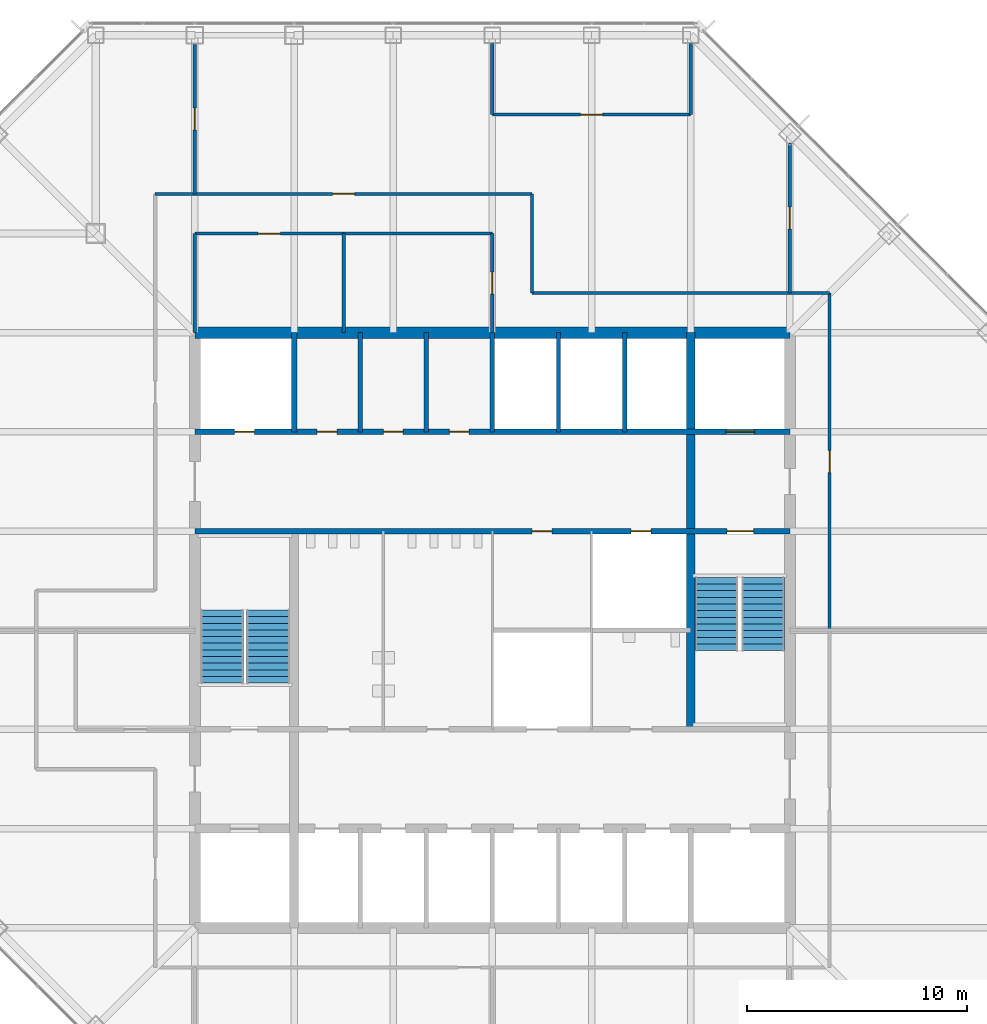
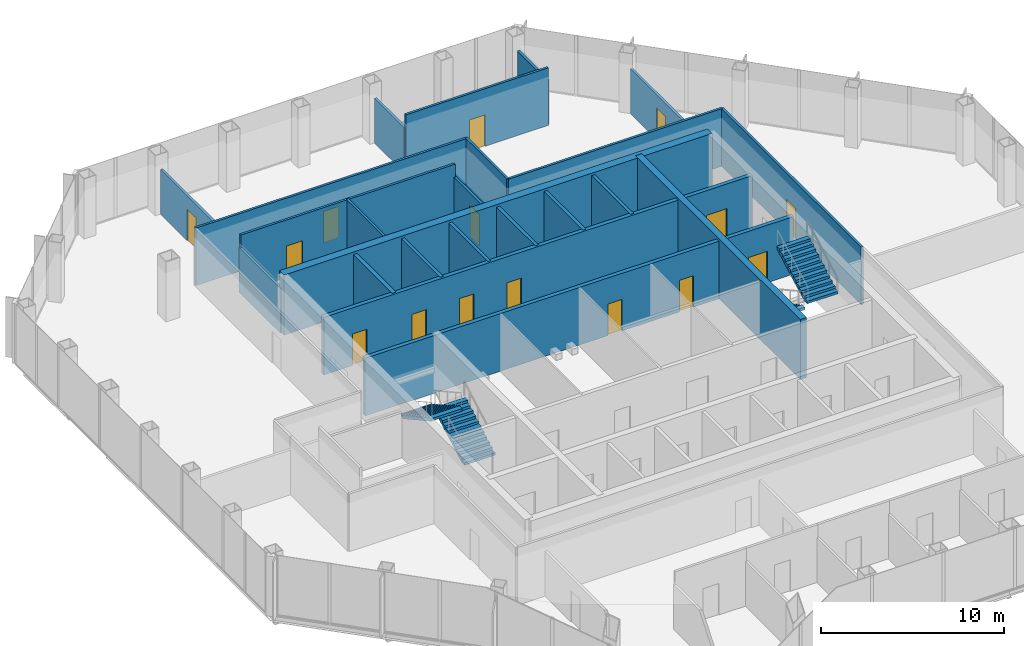
# One storey, part 10 of 12: 24 walls, 15 doors, 4 stair flights, 15 openings, 2 elements without a shape of their own.
"""IFC4 building model written with IfcOpenShell, lengths in metres."""

from ifc_helpers import new_model, si_unit, direction, frame, frame_2d, origin, place, context, subcontext, project, spatial, polyline, rectangle, outline, extrude, material, layer, layer_set, type_object, element, fill, aggregate, save


model = new_model("IFC4")

# Units and contexts
model_context = context("Model", 3, precision=1e-05, world=origin(), true_north=direction((0.0, 1.0)))
body_context = subcontext(model_context, "Body", "Model", "MODEL_VIEW")
ifc_project = project(units=[si_unit("LENGTHUNIT", "METRE"), si_unit("AREAUNIT", "SQUARE_METRE"), si_unit("VOLUMEUNIT", "CUBIC_METRE"), si_unit("PLANEANGLEUNIT", "RADIAN"), si_unit("MASSUNIT", "GRAM", prefix="KILO")], contexts=[model_context])

# Site, building, storey
site_placement = place(None, origin())
site = spatial("IfcSite", under=ifc_project, at=site_placement, CompositionType="ELEMENT")
building_placement = place(site_placement, origin())
building = spatial("IfcBuilding", under=site, at=building_placement, Name="Corais Broadcast Tower", CompositionType="ELEMENT")
storey_placement = place(building_placement, frame((0.0, 0.0, 143.60009765625)))
storey = spatial("IfcBuildingStorey", under=building, at=storey_placement, Name="L32", CompositionType="ELEMENT", Elevation=143.60009765625)

# Wall
ifc_material_1 = material(Name="Concrete blockwork class A, grouted, two-hour", Category="masonry")
ifc_layer_1 = layer(ifc_material_1, 0.25)
ifc_layer_set_1 = layer_set([ifc_layer_1], Name="Concrete blockwork class A, grouted, two-hour")
wall_type_1 = type_object("IfcWallType", Name="Core lobby wall 250", PredefinedType="SOLIDWALL", material=ifc_layer_set_1)
wall_1_placement = place(storey_placement, frame((18.0, 36.0, 0.0), z_axis=(0.0, 0.0, 1.0), x_axis=(0.0, 1.0, 0.0)))
element("IfcWall", 1, at=wall_1_placement, inside=storey, type_object=wall_type_1, Name="CL2 core shaft wall X18B L32", PredefinedType="SOLIDWALL", context=body_context, shape_type="SweptSolid", body=[
    extrude(rectangle(XDim=4.5, YDim=0.25, at=frame_2d((2.25, 0.0))), origin(), (0.0, 0.0, 1.0), 3.83984375),
])

# Wall, openings, doors
wall_2_placement = place(storey_placement, frame((13.5, 31.5, 0.0), z_axis=(0.0, 0.0, 1.0), x_axis=(1.0, 0.0, 0.0)))
wall_2 = element("IfcWall", 2, at=wall_2_placement, inside=storey, type_object=wall_type_1, Name="CL2 core lobby wall Y315 L32", PredefinedType="SOLIDWALL", context=body_context, shape_type="SweptSolid", body=[
    extrude(rectangle(XDim=27.0, YDim=0.25, at=frame_2d((13.5, 0.0))), origin(), (0.0, 0.0, 1.0), 3.83984375),
])
opening_1_placement = place(wall_2_placement, frame((24.14990234375, 0.0, 0.0)))
opening_1 = element("IfcOpeningElement", 3, at=opening_1_placement, cuts=wall_2, Name="Opening FD1", PredefinedType="OPENING", context=body_context, shape_type="SweptSolid", body=[
    extrude(rectangle(XDim=1.199951171875, YDim=2.10009765625, at=frame_2d((0.60009765625, 1.050048828125))), frame((0.0, 0.135009765625, 0.0), z_axis=(0.0, -1.0, 0.0), x_axis=(1.0, 0.0, 0.0)), (0.0, 0.0, 1.0), 0.27001953125),
])
opening_2_placement = place(wall_2_placement, frame((15.300048828125, 0.0, 0.0)))
opening_2 = element("IfcOpeningElement", 4, at=opening_2_placement, cuts=wall_2, Name="Opening RD1", PredefinedType="OPENING", context=body_context, shape_type="SweptSolid", body=[
    extrude(rectangle(XDim=0.89990234375, YDim=2.10009765625, at=frame_2d((0.449951171875, 1.050048828125))), frame((0.0, 0.135009765625, 0.0), z_axis=(0.0, -1.0, 0.0), x_axis=(1.0, 0.0, 0.0)), (0.0, 0.0, 1.0), 0.27001953125),
])
opening_3_placement = place(wall_2_placement, frame((19.800048828125, 0.0, 0.0)))
opening_3 = element("IfcOpeningElement", 5, at=opening_3_placement, cuts=wall_2, Name="Opening RD1", PredefinedType="OPENING", context=body_context, shape_type="SweptSolid", body=[
    extrude(rectangle(XDim=0.89990234375, YDim=2.10009765625, at=frame_2d((0.449951171875, 1.050048828125))), frame((0.0, 0.135009765625, 0.0), z_axis=(0.0, -1.0, 0.0), x_axis=(1.0, 0.0, 0.0)), (0.0, 0.0, 1.0), 0.27001953125),
])
ifc_material_2 = material(Name="Steel fire door", Category="steel")
door_type_1 = type_object("IfcDoorType", Name="Fire door 1200x2100", OperationType="SINGLE_SWING_LEFT", PredefinedType="DOOR", material=ifc_material_2)
door_1_placement = place(opening_1_placement, origin())
door_1 = element("IfcDoor", 6, at=door_1_placement, inside=storey, type_object=door_type_1, Name="FD1 stair B door L32", OperationType="SINGLE_SWING_RIGHT", OverallHeight=2.10009765625, OverallWidth=1.199951171875, PredefinedType="DOOR", context=body_context, shape_type="SweptSolid", body=[
    extrude(rectangle(XDim=1.199951171875, YDim=2.10009765625, at=frame_2d((0.60009765625, 1.050048828125))), frame((0.0, 0.02490234375, 0.0), z_axis=(0.0, -1.0, 0.0), x_axis=(1.0, 0.0, 0.0)), (0.0, 0.0, 1.0), 0.050048828125),
])
fill(opening_1, door_1)
ifc_material_3 = material(Name="Steel fire door", Category="steel")
door_type_2 = type_object("IfcDoorType", Name="Riser door 900x2100", OperationType="SINGLE_SWING_LEFT", PredefinedType="DOOR", material=ifc_material_3)
door_2_placement = place(opening_2_placement, origin())
door_2 = element("IfcDoor", 7, at=door_2_placement, inside=storey, type_object=door_type_2, Name="RD1 print room door L32", OperationType="SINGLE_SWING_RIGHT", OverallHeight=2.10009765625, OverallWidth=0.89990234375, PredefinedType="DOOR", context=body_context, shape_type="SweptSolid", body=[
    extrude(rectangle(XDim=0.89990234375, YDim=2.10009765625, at=frame_2d((0.449951171875, 1.050048828125))), frame((0.0, 0.02490234375, 0.0), z_axis=(0.0, -1.0, 0.0), x_axis=(1.0, 0.0, 0.0)), (0.0, 0.0, 1.0), 0.050048828125),
])
fill(opening_2, door_2)
door_3_placement = place(opening_3_placement, origin())
door_3 = element("IfcDoor", 8, at=door_3_placement, inside=storey, type_object=door_type_2, Name="RD1 riser door L32", OperationType="SINGLE_SWING_RIGHT", OverallHeight=2.10009765625, OverallWidth=0.89990234375, PredefinedType="DOOR", context=body_context, shape_type="SweptSolid", body=[
    extrude(rectangle(XDim=0.89990234375, YDim=2.10009765625, at=frame_2d((0.449951171875, 1.050048828125))), frame((0.0, 0.02490234375, 0.0), z_axis=(0.0, -1.0, 0.0), x_axis=(1.0, 0.0, 0.0)), (0.0, 0.0, 1.0), 0.050048828125),
])
fill(opening_3, door_3)

# Walls
ifc_material_4 = material(Name="Concrete C50/60", Category="concrete")
ifc_layer_2 = layer(ifc_material_4, 0.39990234375)
ifc_layer_set_2 = layer_set([ifc_layer_2], Name="Concrete C50/60")
wall_type_2 = type_object("IfcWallType", Name="Core wall 400", PredefinedType="SHEAR", material=ifc_layer_set_2)
wall_3_placement = place(storey_placement, frame((36.0, 22.5, 0.0), z_axis=(0.0, 0.0, 1.0), x_axis=(0.0, 1.0, 0.0)))
element("IfcWall", 9, at=wall_3_placement, inside=storey, type_object=wall_type_2, Name="CR400 core wall X36B L32", PredefinedType="SHEAR", context=body_context, shape_type="SweptSolid", body=[
    extrude(rectangle(XDim=18.0, YDim=0.39990234375, at=frame_2d((9.0, 0.0))), origin(), (0.0, 0.0, 1.0), 4.0),
])
ifc_material_5 = material(Name="Concrete C50/60", Category="concrete")
ifc_layer_3 = layer(ifc_material_5, 0.5)
ifc_layer_set_3 = layer_set([ifc_layer_3], Name="Concrete C50/60")
wall_type_3 = type_object("IfcWallType", Name="Core wall 500", PredefinedType="SHEAR", material=ifc_layer_set_3)
wall_4_placement = place(storey_placement, frame((40.5, 40.5, 0.0), z_axis=(0.0, 0.0, 1.0), x_axis=(-1.0, 0.0, 0.0)))
element("IfcWall", 10, at=wall_4_placement, inside=storey, type_object=wall_type_3, Name="CR500 core wall N L32", PredefinedType="SHEAR", context=body_context, shape_type="SweptSolid", body=[
    extrude(rectangle(XDim=27.0, YDim=0.5, at=frame_2d((13.5, 0.0))), origin(), (0.0, 0.0, 1.0), 4.0),
])

# Wall, openings, doors
ifc_material_6 = material(Name="Concrete blockwork class A, grouted, four-hour", Category="masonry")
ifc_layer_4 = layer(ifc_material_6, 0.25)
ifc_layer_set_4 = layer_set([ifc_layer_4], Name="Concrete blockwork class A, grouted, four-hour")
wall_type_4 = type_object("IfcWallType", Name="Emergency lift shaft wall 250", PredefinedType="SOLIDWALL", material=ifc_layer_set_4)
wall_5_placement = place(storey_placement, frame((13.5, 36.0, 0.0), z_axis=(0.0, 0.0, 1.0), x_axis=(1.0, 0.0, 0.0)))
wall_5 = element("IfcWall", 11, at=wall_5_placement, inside=storey, type_object=wall_type_4, Name="LS2 core lobby wall Y36 L32", PredefinedType="SOLIDWALL", context=body_context, shape_type="SweptSolid", body=[
    extrude(rectangle(XDim=27.0, YDim=0.25, at=frame_2d((13.5, 0.0))), origin(), (0.0, 0.0, 1.0), 3.83984375),
])
opening_4_placement = place(wall_5_placement, frame((1.800048828125, 0.0, 0.0)))
opening_4 = element("IfcOpeningElement", 12, at=opening_4_placement, cuts=wall_5, Name="Opening RD1", PredefinedType="OPENING", context=body_context, shape_type="SweptSolid", body=[
    extrude(rectangle(XDim=0.89990234375, YDim=2.10009765625, at=frame_2d((0.449951171875, 1.050048828125))), frame((0.0, 0.135009765625, 0.0), z_axis=(0.0, -1.0, 0.0), x_axis=(1.0, 0.0, 0.0)), (0.0, 0.0, 1.0), 0.27001953125),
])
opening_5_placement = place(wall_5_placement, frame((5.550048828125, 0.0, 0.0)))
opening_5 = element("IfcOpeningElement", 13, at=opening_5_placement, cuts=wall_5, Name="Opening RD1", PredefinedType="OPENING", context=body_context, shape_type="SweptSolid", body=[
    extrude(rectangle(XDim=0.89990234375, YDim=2.10009765625, at=frame_2d((0.449951171875, 1.050048828125))), frame((0.0, 0.135009765625, 0.0), z_axis=(0.0, -1.0, 0.0), x_axis=(1.0, 0.0, 0.0)), (0.0, 0.0, 1.0), 0.27001953125),
])
opening_6_placement = place(wall_5_placement, frame((8.550048828125, 0.0, 0.0)))
opening_6 = element("IfcOpeningElement", 14, at=opening_6_placement, cuts=wall_5, Name="Opening RD1", PredefinedType="OPENING", context=body_context, shape_type="SweptSolid", body=[
    extrude(rectangle(XDim=0.89990234375, YDim=2.10009765625, at=frame_2d((0.449951171875, 1.050048828125))), frame((0.0, 0.135009765625, 0.0), z_axis=(0.0, -1.0, 0.0), x_axis=(1.0, 0.0, 0.0)), (0.0, 0.0, 1.0), 0.27001953125),
])
opening_7_placement = place(wall_5_placement, frame((11.550048828125, 0.0, 0.0)))
opening_7 = element("IfcOpeningElement", 15, at=opening_7_placement, cuts=wall_5, Name="Opening RD1", PredefinedType="OPENING", context=body_context, shape_type="SweptSolid", body=[
    extrude(rectangle(XDim=0.89990234375, YDim=2.10009765625, at=frame_2d((0.449951171875, 1.050048828125))), frame((0.0, 0.135009765625, 0.0), z_axis=(0.0, -1.0, 0.0), x_axis=(1.0, 0.0, 0.0)), (0.0, 0.0, 1.0), 0.27001953125),
])
opening_8_placement = place(wall_5_placement, frame((24.10009765625, 0.0, 0.0)))
opening_8 = element("IfcOpeningElement", 16, at=opening_8_placement, cuts=wall_5, Name="Opening LD2", PredefinedType="OPENING", context=body_context, shape_type="SweptSolid", body=[
    extrude(rectangle(XDim=1.300048828125, YDim=2.199951171875, at=frame_2d((0.64990234375, 1.10009765625))), frame((0.0, 0.135009765625, 0.0), z_axis=(0.0, -1.0, 0.0), x_axis=(1.0, 0.0, 0.0)), (0.0, 0.0, 1.0), 0.27001953125),
])
ifc_material_7 = material(Name="Stainless steel lift door", Category="steel")
door_type_3 = type_object("IfcDoorType", Name="Lift landing door 1300x2200", OperationType="SLIDING_TO_LEFT", PredefinedType="DOOR", material=ifc_material_7)
door_4_placement = place(opening_8_placement, origin())
door_4 = element("IfcDoor", 17, at=door_4_placement, inside=storey, type_object=door_type_3, Name="LD2 FL2 landing door L32", OperationType="SLIDING_TO_LEFT", OverallHeight=2.199951171875, OverallWidth=1.300048828125, PredefinedType="DOOR", context=body_context, shape_type="SweptSolid", body=[
    extrude(rectangle(XDim=1.300048828125, YDim=2.199951171875, at=frame_2d((0.64990234375, 1.10009765625))), frame((0.0, 0.02490234375, 0.0), z_axis=(0.0, -1.0, 0.0), x_axis=(1.0, 0.0, 0.0)), (0.0, 0.0, 1.0), 0.050048828125),
])
fill(opening_8, door_4)
door_5_placement = place(opening_4_placement, origin())
door_5 = element("IfcDoor", 18, at=door_5_placement, inside=storey, type_object=door_type_2, Name="RD1 riser door L32", OperationType="SINGLE_SWING_LEFT", OverallHeight=2.10009765625, OverallWidth=0.89990234375, PredefinedType="DOOR", context=body_context, shape_type="SweptSolid", body=[
    extrude(rectangle(XDim=0.89990234375, YDim=2.10009765625, at=frame_2d((0.449951171875, 1.050048828125))), frame((0.0, 0.02490234375, 0.0), z_axis=(0.0, -1.0, 0.0), x_axis=(1.0, 0.0, 0.0)), (0.0, 0.0, 1.0), 0.050048828125),
])
fill(opening_4, door_5)
door_6_placement = place(opening_5_placement, origin())
door_6 = element("IfcDoor", 19, at=door_6_placement, inside=storey, type_object=door_type_2, Name="RD1 stationery store door L32", OperationType="SINGLE_SWING_LEFT", OverallHeight=2.10009765625, OverallWidth=0.89990234375, PredefinedType="DOOR", context=body_context, shape_type="SweptSolid", body=[
    extrude(rectangle(XDim=0.89990234375, YDim=2.10009765625, at=frame_2d((0.449951171875, 1.050048828125))), frame((0.0, 0.02490234375, 0.0), z_axis=(0.0, -1.0, 0.0), x_axis=(1.0, 0.0, 0.0)), (0.0, 0.0, 1.0), 0.050048828125),
])
fill(opening_5, door_6)
door_7_placement = place(opening_6_placement, origin())
door_7 = element("IfcDoor", 20, at=door_7_placement, inside=storey, type_object=door_type_2, Name="RD1 vending room door L32", OperationType="SINGLE_SWING_LEFT", OverallHeight=2.10009765625, OverallWidth=0.89990234375, PredefinedType="DOOR", context=body_context, shape_type="SweptSolid", body=[
    extrude(rectangle(XDim=0.89990234375, YDim=2.10009765625, at=frame_2d((0.449951171875, 1.050048828125))), frame((0.0, 0.02490234375, 0.0), z_axis=(0.0, -1.0, 0.0), x_axis=(1.0, 0.0, 0.0)), (0.0, 0.0, 1.0), 0.050048828125),
])
fill(opening_6, door_7)
door_8_placement = place(opening_7_placement, origin())
door_8 = element("IfcDoor", 21, at=door_8_placement, inside=storey, type_object=door_type_2, Name="RD1 av equipment room door L32", OperationType="SINGLE_SWING_LEFT", OverallHeight=2.10009765625, OverallWidth=0.89990234375, PredefinedType="DOOR", context=body_context, shape_type="SweptSolid", body=[
    extrude(rectangle(XDim=0.89990234375, YDim=2.10009765625, at=frame_2d((0.449951171875, 1.050048828125))), frame((0.0, 0.02490234375, 0.0), z_axis=(0.0, -1.0, 0.0), x_axis=(1.0, 0.0, 0.0)), (0.0, 0.0, 1.0), 0.050048828125),
])
fill(opening_7, door_8)

# Wall, opening, door
ifc_material_8 = material(Name="Gypsum board on steel studs", Category="steel")
ifc_layer_5 = layer(ifc_material_8, 0.14990234375)
ifc_layer_set_5 = layer_set([ifc_layer_5], Name="Gypsum board on steel studs")
wall_type_5 = type_object("IfcWallType", Name="Partition 150", PredefinedType="PARTITIONING", material=ifc_layer_set_5)
wall_6_placement = place(storey_placement, frame((28.800048828125, 46.800048828125, 0.0), z_axis=(0.0, 0.0, 1.0), x_axis=(-1.0, 0.0, 0.0)))
wall_6 = element("IfcWall", 22, at=wall_6_placement, inside=storey, type_object=wall_type_5, Name="IW3 corridor wall L32", PredefinedType="PARTITIONING", context=body_context, shape_type="SweptSolid", body=[
    extrude(rectangle(XDim=17.10009765625, YDim=0.14990234375, at=frame_2d((8.550048828125, 0.0))), origin(), (0.0, 0.0, 1.0), 3.83984375),
])
opening_9_placement = place(wall_6_placement, frame((8.050048828125, 0.0, 0.0)))
opening_9 = element("IfcOpeningElement", 23, at=opening_9_placement, cuts=wall_6, Name="Opening D1", PredefinedType="OPENING", context=body_context, shape_type="SweptSolid", body=[
    extrude(rectangle(XDim=1.0, YDim=2.10009765625, at=frame_2d((0.5, 1.050048828125))), frame((0.0, 0.0849609375, 0.0), z_axis=(0.0, -1.0, 0.0), x_axis=(1.0, 0.0, 0.0)), (0.0, 0.0, 1.0), 0.169921875),
])
ifc_material_9 = material(Name="Timber door", Category="wood")
door_type_4 = type_object("IfcDoorType", Name="Single door 1000x2100", OperationType="SINGLE_SWING_LEFT", PredefinedType="DOOR", material=ifc_material_9)
door_9_placement = place(opening_9_placement, origin())
door_9 = element("IfcDoor", 24, at=door_9_placement, inside=storey, type_object=door_type_4, Name="D1 workplace door L32", OperationType="SINGLE_SWING_LEFT", OverallHeight=2.10009765625, OverallWidth=1.0, PredefinedType="DOOR", context=body_context, shape_type="SweptSolid", body=[
    extrude(rectangle(XDim=1.0, YDim=2.10009765625, at=frame_2d((0.5, 1.050048828125))), frame((0.0, 0.02490234375, 0.0), z_axis=(0.0, -1.0, 0.0), x_axis=(1.0, 0.0, 0.0)), (0.0, 0.0, 1.0), 0.050048828125),
])
fill(opening_9, door_9)

wall_7_placement = place(storey_placement, frame((42.300048828125, 27.00048828125, 0.0), z_axis=(0.0, 0.0, 1.0), x_axis=(0.0, 1.0, 0.0)))
wall_7 = element("IfcWall", 25, at=wall_7_placement, inside=storey, type_object=wall_type_5, Name="IW3 corridor wall L32", PredefinedType="PARTITIONING", context=body_context, shape_type="SweptSolid", body=[
    extrude(rectangle(XDim=15.299560546875, YDim=0.14990234375, at=frame_2d((7.64990234375, 0.0))), origin(), (0.0, 0.0, 1.0), 3.83984375),
])
opening_10_placement = place(wall_7_placement, frame((7.149658203125, 0.0, 0.0)))
opening_10 = element("IfcOpeningElement", 26, at=opening_10_placement, cuts=wall_7, Name="Opening D1", PredefinedType="OPENING", context=body_context, shape_type="SweptSolid", body=[
    extrude(rectangle(XDim=1.0, YDim=2.10009765625, at=frame_2d((0.5, 1.050048828125))), frame((0.0, 0.0849609375, 0.0), z_axis=(0.0, -1.0, 0.0), x_axis=(1.0, 0.0, 0.0)), (0.0, 0.0, 1.0), 0.169921875),
])
door_10_placement = place(opening_10_placement, origin())
door_10 = element("IfcDoor", 27, at=door_10_placement, inside=storey, type_object=door_type_4, Name="D1 workplace door L32", OperationType="SINGLE_SWING_LEFT", OverallHeight=2.10009765625, OverallWidth=1.0, PredefinedType="DOOR", context=body_context, shape_type="SweptSolid", body=[
    extrude(rectangle(XDim=1.0, YDim=2.10009765625, at=frame_2d((0.5, 1.050048828125))), frame((0.0, 0.02490234375, 0.0), z_axis=(0.0, -1.0, 0.0), x_axis=(1.0, 0.0, 0.0)), (0.0, 0.0, 1.0), 0.050048828125),
])
fill(opening_10, door_10)

# Walls
wall_8_placement = place(storey_placement, frame((42.300048828125, 42.300048828125, 0.0), z_axis=(0.0, 0.0, 1.0), x_axis=(-1.0, 0.0, 0.0)))
element("IfcWall", 28, at=wall_8_placement, inside=storey, type_object=wall_type_5, Name="IW3 corridor wall L32", PredefinedType="PARTITIONING", context=body_context, shape_type="SweptSolid", body=[
    extrude(rectangle(XDim=13.5, YDim=0.14990234375, at=frame_2d((6.75, 0.0))), origin(), (0.0, 0.0, 1.0), 3.83984375),
])
for number, where, z_axis, x_axis, name in (
    (29, (28.800048828125, 42.300048828125, 0.0), (0.0, 0.0, 1.0), (0.0, 1.0, 0.0), "IW3 corridor wall L32"),
    (30, (20.25, 40.5, 0.0), (0.0, 0.0, 1.0), (0.0, 1.0, 0.0), "IW3 partition L32"),
):
    element("IfcWall", number, at=place(storey_placement, frame(where, z_axis=z_axis, x_axis=x_axis)), inside=storey, type_object=wall_type_5, Name=name, PredefinedType="PARTITIONING", context=body_context, shape_type="SweptSolid", body=[
        extrude(rectangle(XDim=4.5, YDim=0.14990234375, at=frame_2d((2.25, 0.0))), origin(), (0.0, 0.0, 1.0), 3.83984375),
    ])

# Wall, opening, door
wall_9_placement = place(storey_placement, frame((20.25, 45.0, 0.0), z_axis=(0.0, 0.0, 1.0), x_axis=(-1.0, 0.0, 0.0)))
wall_9 = element("IfcWall", 31, at=wall_9_placement, inside=storey, type_object=wall_type_5, Name="IW3 partition L32", PredefinedType="PARTITIONING", context=body_context, shape_type="SweptSolid", body=[
    extrude(rectangle(XDim=6.75, YDim=0.14990234375, at=frame_2d((3.375, 0.0))), origin(), (0.0, 0.0, 1.0), 3.83984375),
])
opening_11_placement = place(wall_9_placement, frame((2.875, 0.0, 0.0)))
opening_11 = element("IfcOpeningElement", 32, at=opening_11_placement, cuts=wall_9, Name="Opening D1", PredefinedType="OPENING", context=body_context, shape_type="SweptSolid", body=[
    extrude(rectangle(XDim=1.0, YDim=2.10009765625, at=frame_2d((0.5, 1.050048828125))), frame((0.0, 0.0849609375, 0.0), z_axis=(0.0, -1.0, 0.0), x_axis=(1.0, 0.0, 0.0)), (0.0, 0.0, 1.0), 0.169921875),
])
door_11_placement = place(opening_11_placement, origin())
door_11 = element("IfcDoor", 33, at=door_11_placement, inside=storey, type_object=door_type_4, Name="D1 Meeting room door", OperationType="SINGLE_SWING_LEFT", OverallHeight=2.10009765625, OverallWidth=1.0, PredefinedType="DOOR", context=body_context, shape_type="SweptSolid", body=[
    extrude(rectangle(XDim=1.0, YDim=2.10009765625, at=frame_2d((0.5, 1.050048828125))), frame((0.0, 0.02490234375, 0.0), z_axis=(0.0, -1.0, 0.0), x_axis=(1.0, 0.0, 0.0)), (0.0, 0.0, 1.0), 0.050048828125),
])
fill(opening_11, door_11)

# Wall
wall_10_placement = place(storey_placement, frame((13.5, 45.0, 0.0), z_axis=(0.0, 0.0, 1.0), x_axis=(0.0, -1.0, 0.0)))
element("IfcWall", 34, at=wall_10_placement, inside=storey, type_object=wall_type_5, Name="IW3 partition L32", PredefinedType="PARTITIONING", context=body_context, shape_type="SweptSolid", body=[
    extrude(rectangle(XDim=4.5, YDim=0.14990234375, at=frame_2d((2.25, 0.0))), origin(), (0.0, 0.0, 1.0), 2.989013671875),
])

# Wall, opening, door
wall_11_placement = place(storey_placement, frame((27.0, 40.5, 0.0), z_axis=(0.0, 0.0, 1.0), x_axis=(0.0, 1.0, 0.0)))
wall_11 = element("IfcWall", 35, at=wall_11_placement, inside=storey, type_object=wall_type_5, Name="IW3 partition L32", PredefinedType="PARTITIONING", context=body_context, shape_type="SweptSolid", body=[
    extrude(rectangle(XDim=4.5, YDim=0.14990234375, at=frame_2d((2.25, 0.0))), origin(), (0.0, 0.0, 1.0), 2.989013671875),
])
opening_12_placement = place(wall_11_placement, frame((1.75, 0.0, 0.0)))
opening_12 = element("IfcOpeningElement", 36, at=opening_12_placement, cuts=wall_11, Name="Opening D1", PredefinedType="OPENING", context=body_context, shape_type="SweptSolid", body=[
    extrude(rectangle(XDim=1.0, YDim=2.10009765625, at=frame_2d((0.5, 1.050048828125))), frame((0.0, 0.0849609375, 0.0), z_axis=(0.0, -1.0, 0.0), x_axis=(1.0, 0.0, 0.0)), (0.0, 0.0, 1.0), 0.169921875),
])
door_12_placement = place(opening_12_placement, origin())
door_12 = element("IfcDoor", 37, at=door_12_placement, inside=storey, type_object=door_type_4, Name="D1 Meeting room door", OperationType="SINGLE_SWING_LEFT", OverallHeight=2.10009765625, OverallWidth=1.0, PredefinedType="DOOR", context=body_context, shape_type="SweptSolid", body=[
    extrude(rectangle(XDim=1.0, YDim=2.10009765625, at=frame_2d((0.5, 1.050048828125))), frame((0.0, 0.02490234375, 0.0), z_axis=(0.0, -1.0, 0.0), x_axis=(1.0, 0.0, 0.0)), (0.0, 0.0, 1.0), 0.050048828125),
])
fill(opening_12, door_12)

# Wall
wall_12_placement = place(storey_placement, frame((27.0, 45.0, 0.0), z_axis=(0.0, 0.0, 1.0), x_axis=(-1.0, 0.0, 0.0)))
element("IfcWall", 38, at=wall_12_placement, inside=storey, type_object=wall_type_5, Name="IW3 partition L32", PredefinedType="PARTITIONING", context=body_context, shape_type="SweptSolid", body=[
    extrude(rectangle(XDim=6.75, YDim=0.14990234375, at=frame_2d((3.375, 0.0))), origin(), (0.0, 0.0, 1.0), 3.83984375),
])

# Wall, opening, door
wall_13_placement = place(storey_placement, frame((27.0, 50.39990234375, 0.0), z_axis=(0.0, 0.0, 1.0), x_axis=(1.0, 0.0, 0.0)))
wall_13 = element("IfcWall", 39, at=wall_13_placement, inside=storey, type_object=wall_type_5, Name="IW3 partition L32", PredefinedType="PARTITIONING", context=body_context, shape_type="SweptSolid", body=[
    extrude(rectangle(XDim=9.0, YDim=0.14990234375, at=frame_2d((4.5, 0.0))), origin(), (0.0, 0.0, 1.0), 3.83984375),
])
opening_13_placement = place(wall_13_placement, frame((4.0, 0.0, 0.0)))
opening_13 = element("IfcOpeningElement", 40, at=opening_13_placement, cuts=wall_13, Name="Opening D1", PredefinedType="OPENING", context=body_context, shape_type="SweptSolid", body=[
    extrude(rectangle(XDim=1.0, YDim=2.10009765625, at=frame_2d((0.5, 1.050048828125))), frame((0.0, 0.0849609375, 0.0), z_axis=(0.0, -1.0, 0.0), x_axis=(1.0, 0.0, 0.0)), (0.0, 0.0, 1.0), 0.169921875),
])
door_13_placement = place(opening_13_placement, origin())
door_13 = element("IfcDoor", 41, at=door_13_placement, inside=storey, type_object=door_type_4, Name="D1 Pantry door", OperationType="SINGLE_SWING_LEFT", OverallHeight=2.10009765625, OverallWidth=1.0, PredefinedType="DOOR", context=body_context, shape_type="SweptSolid", body=[
    extrude(rectangle(XDim=1.0, YDim=2.10009765625, at=frame_2d((0.5, 1.050048828125))), frame((0.0, 0.02490234375, 0.0), z_axis=(0.0, -1.0, 0.0), x_axis=(1.0, 0.0, 0.0)), (0.0, 0.0, 1.0), 0.050048828125),
])
fill(opening_13, door_13)

# Walls
for number, where, z_axis, x_axis, name in (
    (42, (36.0, 50.39990234375, 0.0), (0.0, 0.0, 1.0), (0.0, 1.0, 0.0), "IW3 partition L32"),
    (43, (27.0, 53.614990234375, 0.0), (0.0, 0.0, 1.0), (0.0, -1.0, 0.0), "IW3 partition L32"),
):
    element("IfcWall", number, at=place(storey_placement, frame(where, z_axis=z_axis, x_axis=x_axis)), inside=storey, type_object=wall_type_5, Name=name, PredefinedType="PARTITIONING", context=body_context, shape_type="SweptSolid", body=[
        extrude(rectangle(XDim=3.215087890625, YDim=0.14990234375, at=frame_2d((1.607421875, 0.0))), origin(), (0.0, 0.0, 1.0), 2.989013671875),
    ])

# Wall, opening, door
wall_14_placement = place(storey_placement, frame((40.5, 49.10498046875, 0.0), z_axis=(0.0, 0.0, 1.0), x_axis=(0.0, -1.0, 0.0)))
wall_14 = element("IfcWall", 44, at=wall_14_placement, inside=storey, type_object=wall_type_5, Name="IW3 partition L32", PredefinedType="PARTITIONING", context=body_context, shape_type="SweptSolid", body=[
    extrude(rectangle(XDim=6.804931640625, YDim=0.14990234375, at=frame_2d((3.40234375, 0.0))), origin(), (0.0, 0.0, 1.0), 2.989013671875),
])
opening_14_placement = place(wall_14_placement, frame((2.902587890625, 0.0, 0.0)))
opening_14 = element("IfcOpeningElement", 45, at=opening_14_placement, cuts=wall_14, Name="Opening D1", PredefinedType="OPENING", context=body_context, shape_type="SweptSolid", body=[
    extrude(rectangle(XDim=1.0, YDim=2.10009765625, at=frame_2d((0.5, 1.050048828125))), frame((0.0, 0.0849609375, 0.0), z_axis=(0.0, -1.0, 0.0), x_axis=(1.0, 0.0, 0.0)), (0.0, 0.0, 1.0), 0.169921875),
])
door_14_placement = place(opening_14_placement, origin())
door_14 = element("IfcDoor", 46, at=door_14_placement, inside=storey, type_object=door_type_4, Name="D1 team room door L32", OperationType="SINGLE_SWING_LEFT", OverallHeight=2.10009765625, OverallWidth=1.0, PredefinedType="DOOR", context=body_context, shape_type="SweptSolid", body=[
    extrude(rectangle(XDim=1.0, YDim=2.10009765625, at=frame_2d((0.5, 1.050048828125))), frame((0.0, 0.02490234375, 0.0), z_axis=(0.0, -1.0, 0.0), x_axis=(1.0, 0.0, 0.0)), (0.0, 0.0, 1.0), 0.050048828125),
])
fill(opening_14, door_14)

wall_15_placement = place(storey_placement, frame((13.5, 46.800048828125, 0.0), z_axis=(0.0, 0.0, 1.0), x_axis=(0.0, 1.0, 0.0)))
wall_15 = element("IfcWall", 47, at=wall_15_placement, inside=storey, type_object=wall_type_5, Name="IW3 partition L32", PredefinedType="PARTITIONING", context=body_context, shape_type="SweptSolid", body=[
    extrude(rectangle(XDim=6.780029296875, YDim=0.14990234375, at=frame_2d((3.39013671875, 0.0))), origin(), (0.0, 0.0, 1.0), 2.989013671875),
])
opening_15_placement = place(wall_15_placement, frame((2.889892578125, 0.0, 0.0)))
opening_15 = element("IfcOpeningElement", 48, at=opening_15_placement, cuts=wall_15, Name="Opening D1", PredefinedType="OPENING", context=body_context, shape_type="SweptSolid", body=[
    extrude(rectangle(XDim=1.0, YDim=2.10009765625, at=frame_2d((0.5, 1.050048828125))), frame((0.0, 0.0849609375, 0.0), z_axis=(0.0, -1.0, 0.0), x_axis=(1.0, 0.0, 0.0)), (0.0, 0.0, 1.0), 0.169921875),
])
door_15_placement = place(opening_15_placement, origin())
door_15 = element("IfcDoor", 49, at=door_15_placement, inside=storey, type_object=door_type_4, Name="D1 team room door L32", OperationType="SINGLE_SWING_LEFT", OverallHeight=2.10009765625, OverallWidth=1.0, PredefinedType="DOOR", context=body_context, shape_type="SweptSolid", body=[
    extrude(rectangle(XDim=1.0, YDim=2.10009765625, at=frame_2d((0.5, 1.050048828125))), frame((0.0, 0.02490234375, 0.0), z_axis=(0.0, -1.0, 0.0), x_axis=(1.0, 0.0, 0.0)), (0.0, 0.0, 1.0), 0.050048828125),
])
fill(opening_15, door_15)

# Walls
ifc_material_10 = material(Name="Concrete blockwork class A, grouted, two-hour", Category="masonry")
ifc_layer_6 = layer(ifc_material_10, 0.199951171875)
ifc_layer_set_6 = layer_set([ifc_layer_6], Name="Concrete blockwork class A, grouted, two-hour")
wall_type_6 = type_object("IfcWallType", Name="Shaft wall 200", PredefinedType="PARTITIONING", material=ifc_layer_set_6)
for number, where, z_axis, x_axis, name in (
    (50, (21.0, 36.0, 0.0), (0.0, 0.0, 1.0), (0.0, 1.0, 0.0), "IW1 shaft wall L32"),
    (51, (24.0, 36.0, 0.0), (0.0, 0.0, 1.0), (0.0, 1.0, 0.0), "IW1 shaft wall L32"),
    (52, (27.0, 36.0, 0.0), (0.0, 0.0, 1.0), (0.0, 1.0, 0.0), "IW1 shaft wall L32"),
    (53, (30.0, 36.0, 0.0), (0.0, 0.0, 1.0), (0.0, 1.0, 0.0), "IW1 shaft wall L32"),
    (54, (33.0, 36.0, 0.0), (0.0, 0.0, 1.0), (0.0, 1.0, 0.0), "IW1 shaft wall L32"),
):
    element("IfcWall", number, at=place(storey_placement, frame(where, z_axis=z_axis, x_axis=x_axis)), inside=storey, type_object=wall_type_6, Name=name, PredefinedType="PARTITIONING", context=body_context, shape_type="SweptSolid", body=[
        extrude(rectangle(XDim=4.5, YDim=0.199951171875, at=frame_2d((2.25, 0.0))), origin(), (0.0, 0.0, 1.0), 3.83984375),
    ])

# Stair, stair flights
ifc_material_11 = material(Name="Concrete C30/37", Category="concrete")
stair_type = type_object("IfcStairType", Name="Half-turn stair 4000", PredefinedType="HALF_TURN_STAIR", material=ifc_material_11)
stair_1_placement = place(storey_placement, origin())
stair_1 = element("IfcStair", 55, at=stair_1_placement, inside=storey, type_object=stair_type, Name="Stair A L32", PredefinedType="HALF_TURN_STAIR")
ifc_material_12 = material(Name="Concrete C30/37", Category="concrete")
stair_flight_type = type_object("IfcStairFlightType", Name="Stair flight 4000", PredefinedType="STRAIGHT", material=ifc_material_12)
stair_flight_1_placement = place(storey_placement, frame((16.824951171875, 24.60009765625, 0.0), z_axis=(0.0, 0.0, 1.0), x_axis=(0.0, 1.0, 0.0)))
stair_flight_1 = element("IfcStairFlight", 56, at=stair_flight_1_placement, type_object=stair_flight_type, Name="STA flight 1", NumberOfRisers=12, NumberOfTreads=11, PredefinedType="STRAIGHT", RiserHeight=0.166666667, TreadLength=0.302, context=body_context, shape_type="SweptSolid", body=[
    extrude(outline(polyline([(0.0, 0.0), (0.0, 0.166748046875), (0.302001953125, 0.166748046875), (0.302001953125, 0.333251953125), (0.60400390625, 0.333251953125), (0.60400390625, 0.5), (0.906005859375, 0.5), (0.906005859375, 0.666748046875), (1.2080078125, 0.666748046875), (1.2080078125, 0.833251953125), (1.510009765625, 0.833251953125), (1.510009765625, 1.0), (1.81201171875, 1.0), (1.81201171875, 1.166748046875), (2.114013671875, 1.166748046875), (2.114013671875, 1.333251953125), (2.416015625, 1.333251953125), (2.416015625, 1.5), (2.718017578125, 1.5), (2.718017578125, 1.666748046875), (3.02001953125, 1.666748046875), (3.02001953125, 1.833251953125), (3.322021484375, 1.833251953125), (3.322021484375, 2.0), (3.322021484375, 1.662109375), (0.310302734375, 0.0), (0.0, 0.0)])), frame((0.0, 0.97509765625, 0.0), z_axis=(0.0, -1.0, 0.0), x_axis=(1.0, 0.0, 0.0)), (0.0, 0.0, 1.0), 1.949951171875),
])
stair_flight_2_placement = place(storey_placement, frame((14.72509765625, 27.922119140625, 2.0), z_axis=(0.0, 0.0, 1.0), x_axis=(0.0, -1.0, 0.0)))
stair_flight_2 = element("IfcStairFlight", 57, at=stair_flight_2_placement, type_object=stair_flight_type, Name="STA flight 2", NumberOfRisers=12, NumberOfTreads=11, PredefinedType="STRAIGHT", RiserHeight=0.166666667, TreadLength=0.302, context=body_context, shape_type="SweptSolid", body=[
    extrude(outline(polyline([(0.0, 0.0), (0.0, 0.166748046875), (0.302001953125, 0.166748046875), (0.302001953125, 0.333251953125), (0.60400390625, 0.333251953125), (0.60400390625, 0.5), (0.906005859375, 0.5), (0.906005859375, 0.666748046875), (1.2080078125, 0.666748046875), (1.2080078125, 0.833251953125), (1.510009765625, 0.833251953125), (1.510009765625, 1.0), (1.81201171875, 1.0), (1.81201171875, 1.166748046875), (2.114013671875, 1.166748046875), (2.114013671875, 1.333251953125), (2.416015625, 1.333251953125), (2.416015625, 1.5), (2.718017578125, 1.5), (2.718017578125, 1.666748046875), (3.02001953125, 1.666748046875), (3.02001953125, 1.833251953125), (3.322021484375, 1.833251953125), (3.322021484375, 2.0), (3.322021484375, 1.662109375), (0.310302734375, 0.0), (0.0, 0.0)])), frame((0.0, 0.97509765625, 0.0), z_axis=(0.0, -1.0, 0.0), x_axis=(1.0, 0.0, 0.0)), (0.0, 0.0, 1.0), 1.949951171875),
])
aggregate(stair_1, [stair_flight_1, stair_flight_2])

stair_2_placement = place(storey_placement, origin())
stair_2 = element("IfcStair", 58, at=stair_2_placement, inside=storey, type_object=stair_type, Name="Stair B L32", PredefinedType="HALF_TURN_STAIR")
stair_flight_3_placement = place(storey_placement, frame((37.175048828125, 29.39990234375, 0.0), z_axis=(0.0, 0.0, 1.0), x_axis=(0.0, -1.0, 0.0)))
stair_flight_3 = element("IfcStairFlight", 59, at=stair_flight_3_placement, type_object=stair_flight_type, Name="STB flight 1", NumberOfRisers=12, NumberOfTreads=11, PredefinedType="STRAIGHT", RiserHeight=0.166666667, TreadLength=0.302, context=body_context, shape_type="SweptSolid", body=[
    extrude(outline(polyline([(0.0, 0.0), (0.0, 0.166748046875), (0.302001953125, 0.166748046875), (0.302001953125, 0.333251953125), (0.60400390625, 0.333251953125), (0.60400390625, 0.5), (0.906005859375, 0.5), (0.906005859375, 0.666748046875), (1.2080078125, 0.666748046875), (1.2080078125, 0.833251953125), (1.510009765625, 0.833251953125), (1.510009765625, 1.0), (1.81201171875, 1.0), (1.81201171875, 1.166748046875), (2.114013671875, 1.166748046875), (2.114013671875, 1.333251953125), (2.416015625, 1.333251953125), (2.416015625, 1.5), (2.718017578125, 1.5), (2.718017578125, 1.666748046875), (3.02001953125, 1.666748046875), (3.02001953125, 1.833251953125), (3.322021484375, 1.833251953125), (3.322021484375, 2.0), (3.322021484375, 1.662109375), (0.310302734375, 0.0), (0.0, 0.0)])), frame((0.0, 0.97509765625, 0.0), z_axis=(0.0, -1.0, 0.0), x_axis=(1.0, 0.0, 0.0)), (0.0, 0.0, 1.0), 1.949951171875),
])
stair_flight_4_placement = place(storey_placement, frame((39.27490234375, 26.077880859375, 2.0), z_axis=(0.0, 0.0, 1.0), x_axis=(0.0, 1.0, 0.0)))
stair_flight_4 = element("IfcStairFlight", 60, at=stair_flight_4_placement, type_object=stair_flight_type, Name="STB flight 2", NumberOfRisers=12, NumberOfTreads=11, PredefinedType="STRAIGHT", RiserHeight=0.166666667, TreadLength=0.302, context=body_context, shape_type="SweptSolid", body=[
    extrude(outline(polyline([(0.0, 0.0), (0.0, 0.166748046875), (0.302001953125, 0.166748046875), (0.302001953125, 0.333251953125), (0.60400390625, 0.333251953125), (0.60400390625, 0.5), (0.906005859375, 0.5), (0.906005859375, 0.666748046875), (1.2080078125, 0.666748046875), (1.2080078125, 0.833251953125), (1.510009765625, 0.833251953125), (1.510009765625, 1.0), (1.81201171875, 1.0), (1.81201171875, 1.166748046875), (2.114013671875, 1.166748046875), (2.114013671875, 1.333251953125), (2.416015625, 1.333251953125), (2.416015625, 1.5), (2.718017578125, 1.5), (2.718017578125, 1.666748046875), (3.02001953125, 1.666748046875), (3.02001953125, 1.833251953125), (3.322021484375, 1.833251953125), (3.322021484375, 2.0), (3.322021484375, 1.662109375), (0.310302734375, 0.0), (0.0, 0.0)])), frame((0.0, 0.97509765625, 0.0), z_axis=(0.0, -1.0, 0.0), x_axis=(1.0, 0.0, 0.0)), (0.0, 0.0, 1.0), 1.949951171875),
])
aggregate(stair_2, [stair_flight_3, stair_flight_4])

save(model, "model.ifc")
